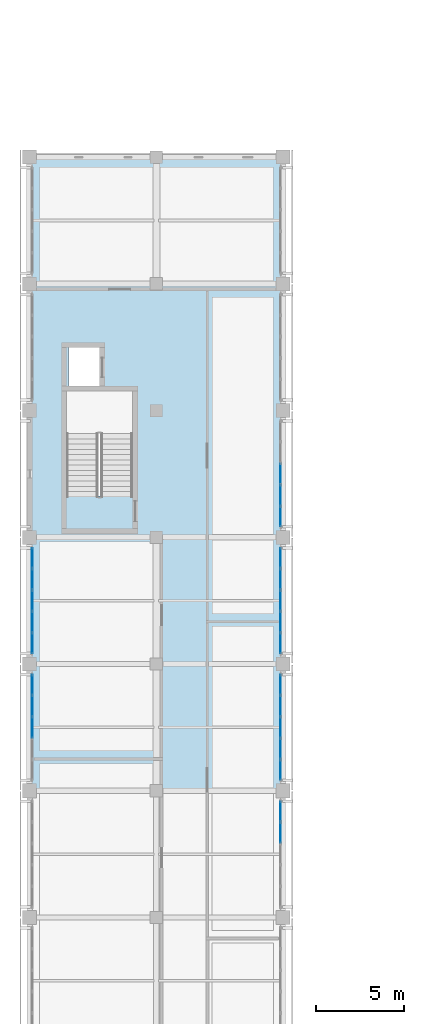
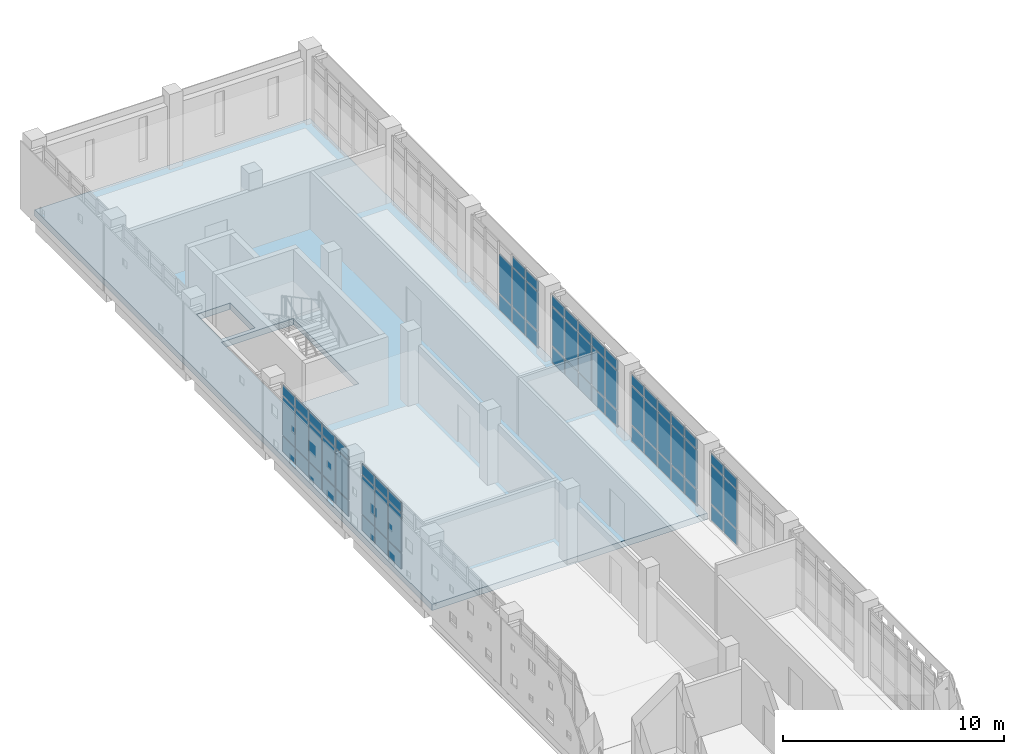
# One storey, part 20 of 33: 68 plates, 1 slab, 6 elements without a shape of their own.
"""IFC4 building model written with IfcOpenShell, lengths in metres."""

from ifc_helpers import new_model, si_unit, direction, frame, origin, origin_2d, place, context, subcontext, project, spatial, polyline, rectangle, outline, extrude, material, layer, layer_set, type_object, element, aggregate, save


model = new_model("IFC4")

# Units and contexts
model_context = context("Model", 3, precision=1e-05, world=origin(), true_north=direction((0.0, 1.0)))
body_context = subcontext(model_context, "Body", "Model", "MODEL_VIEW")
ifc_project = project(units=[si_unit("LENGTHUNIT", "METRE"), si_unit("AREAUNIT", "SQUARE_METRE"), si_unit("VOLUMEUNIT", "CUBIC_METRE"), si_unit("PLANEANGLEUNIT", "RADIAN"), si_unit("MASSUNIT", "GRAM", prefix="KILO")], contexts=[model_context])

# Site, building, storey
site_placement = place(None, origin())
site = spatial("IfcSite", under=ifc_project, at=site_placement, CompositionType="ELEMENT")
building_placement = place(site_placement, origin())
building = spatial("IfcBuilding", under=site, at=building_placement, Name="Valkovuoma Quantum and Materials Research Institute", CompositionType="ELEMENT")
storey_placement = place(building_placement, frame((0.0, 0.0, 25.60009765625)))
storey = spatial("IfcBuildingStorey", under=building, at=storey_placement, Name="L06", CompositionType="ELEMENT", Elevation=25.60009765625)

# Curtain wall, plates
ifc_material_1 = material(Name="Thermally broken aluminium and triple low-E glazing", Category="aluminium")
ifc_layer_1 = layer(ifc_material_1, 0.219970703125)
ifc_layer_set_1 = layer_set([ifc_layer_1], Name="Thermally broken aluminium and triple low-E glazing")
curtain_wall_type = type_object("IfcCurtainWallType", Name="CW-CW-01", PredefinedType="NOTDEFINED", material=ifc_layer_set_1)
curtain_wall_1_placement = place(storey_placement, origin())
curtain_wall_1 = element("IfcCurtainWall", 1, at=curtain_wall_1_placement, inside=storey, type_object=curtain_wall_type, Name="L06 curtain wall 082", PredefinedType="NOTDEFINED")
ifc_material_2 = material(Name="Triple low-E argon insulating glass", Category="glass")
ifc_layer_2 = layer(ifc_material_2, 0.035888671875)
ifc_layer_set_2 = layer_set([ifc_layer_2], Name="Triple low-E argon insulating glass")
plate_type_1 = type_object("IfcPlateType", Name="CWPanel-CWP-01", PredefinedType="CURTAIN_PANEL", material=ifc_layer_set_2)
plate_1_placement = place(storey_placement, frame((0.14990234375, 61.199951171875, 0.06494140625), z_axis=(0.0, 0.0, 1.0), x_axis=(0.0, 1.0, 0.0)))
plate_1 = element("IfcPlate", 2, at=plate_1_placement, type_object=plate_type_1, Name="CW-01 panel 3.1", PredefinedType="CURTAIN_PANEL", context=body_context, shape_type="SweptSolid", body=[
    extrude(rectangle(XDim=1.152099609375, YDim=0.035888671875, at=origin_2d()), origin(), (0.0, 0.0, 1.0), 0.8525390625),
])
plate_2_placement = place(storey_placement, frame((0.14990234375, 61.199951171875, 0.982421875), z_axis=(0.0, 0.0, 1.0), x_axis=(0.0, 1.0, 0.0)))
plate_2 = element("IfcPlate", 3, at=plate_2_placement, type_object=plate_type_1, Name="CW-01 panel 3.2", PredefinedType="CURTAIN_PANEL", context=body_context, shape_type="SweptSolid", body=[
    extrude(rectangle(XDim=1.152099609375, YDim=0.035888671875, at=origin_2d()), origin(), (0.0, 0.0, 1.0), 2.14501953125),
])
plate_3_placement = place(storey_placement, frame((0.14990234375, 61.199951171875, 3.1923828125), z_axis=(0.0, 0.0, 1.0), x_axis=(0.0, 1.0, 0.0)))
plate_3 = element("IfcPlate", 4, at=plate_3_placement, type_object=plate_type_1, Name="CW-01 panel 3.3", PredefinedType="CURTAIN_PANEL", context=body_context, shape_type="SweptSolid", body=[
    extrude(rectangle(XDim=1.152099609375, YDim=0.035888671875, at=origin_2d()), origin(), (0.0, 0.0, 1.0), 0.552490234375),
])
plate_4_placement = place(storey_placement, frame((0.14990234375, 62.417236328125, 0.06494140625), z_axis=(0.0, 0.0, 1.0), x_axis=(0.0, 1.0, 0.0)))
plate_4 = element("IfcPlate", 5, at=plate_4_placement, type_object=plate_type_1, Name="CW-01 panel 4.1", PredefinedType="CURTAIN_PANEL", context=body_context, shape_type="SweptSolid", body=[
    extrude(rectangle(XDim=1.152099609375, YDim=0.035888671875, at=origin_2d()), origin(), (0.0, 0.0, 1.0), 0.8525390625),
])
plate_5_placement = place(storey_placement, frame((0.14990234375, 62.417236328125, 0.982421875), z_axis=(0.0, 0.0, 1.0), x_axis=(0.0, 1.0, 0.0)))
plate_5 = element("IfcPlate", 6, at=plate_5_placement, type_object=plate_type_1, Name="CW-01 panel 4.2", PredefinedType="CURTAIN_PANEL", context=body_context, shape_type="SweptSolid", body=[
    extrude(rectangle(XDim=1.152099609375, YDim=0.035888671875, at=origin_2d()), origin(), (0.0, 0.0, 1.0), 2.14501953125),
])
plate_6_placement = place(storey_placement, frame((0.14990234375, 62.417236328125, 3.1923828125), z_axis=(0.0, 0.0, 1.0), x_axis=(0.0, 1.0, 0.0)))
plate_6 = element("IfcPlate", 7, at=plate_6_placement, type_object=plate_type_1, Name="CW-01 panel 4.3", PredefinedType="CURTAIN_PANEL", context=body_context, shape_type="SweptSolid", body=[
    extrude(rectangle(XDim=1.152099609375, YDim=0.035888671875, at=origin_2d()), origin(), (0.0, 0.0, 1.0), 0.552490234375),
])
plate_7_placement = place(storey_placement, frame((0.14990234375, 63.6181640625, 0.06494140625), z_axis=(0.0, 0.0, 1.0), x_axis=(0.0, 1.0, 0.0)))
plate_7 = element("IfcPlate", 8, at=plate_7_placement, type_object=plate_type_1, Name="CW-01 panel 5.1", PredefinedType="CURTAIN_PANEL", context=body_context, shape_type="SweptSolid", body=[
    extrude(rectangle(XDim=1.11962890625, YDim=0.035888671875, at=origin_2d()), origin(), (0.0, 0.0, 1.0), 0.8525390625),
])
plate_8_placement = place(storey_placement, frame((0.14990234375, 63.6181640625, 0.982421875), z_axis=(0.0, 0.0, 1.0), x_axis=(0.0, 1.0, 0.0)))
plate_8 = element("IfcPlate", 9, at=plate_8_placement, type_object=plate_type_1, Name="CW-01 panel 5.2", PredefinedType="CURTAIN_PANEL", context=body_context, shape_type="SweptSolid", body=[
    extrude(rectangle(XDim=1.11962890625, YDim=0.035888671875, at=origin_2d()), origin(), (0.0, 0.0, 1.0), 2.14501953125),
])
plate_9_placement = place(storey_placement, frame((0.14990234375, 63.6181640625, 3.1923828125), z_axis=(0.0, 0.0, 1.0), x_axis=(0.0, 1.0, 0.0)))
plate_9 = element("IfcPlate", 10, at=plate_9_placement, type_object=plate_type_1, Name="CW-01 panel 5.3", PredefinedType="CURTAIN_PANEL", context=body_context, shape_type="SweptSolid", body=[
    extrude(rectangle(XDim=1.11962890625, YDim=0.035888671875, at=origin_2d()), origin(), (0.0, 0.0, 1.0), 0.552490234375),
])
aggregate(curtain_wall_1, [plate_1, plate_2, plate_3, plate_4, plate_5, plate_6, plate_7, plate_8, plate_9])

curtain_wall_2_placement = place(storey_placement, origin())
curtain_wall_2 = element("IfcCurtainWall", 11, at=curtain_wall_2_placement, inside=storey, type_object=curtain_wall_type, Name="L06 curtain wall 084", PredefinedType="NOTDEFINED")
plate_10_placement = place(storey_placement, frame((0.14990234375, 65.98193359375, 0.06494140625), z_axis=(0.0, 0.0, 1.0), x_axis=(0.0, 1.0, 0.0)))
plate_10 = element("IfcPlate", 12, at=plate_10_placement, type_object=plate_type_1, Name="CW-01 panel 1.1", PredefinedType="CURTAIN_PANEL", context=body_context, shape_type="SweptSolid", body=[
    extrude(rectangle(XDim=1.11962890625, YDim=0.035888671875, at=origin_2d()), origin(), (0.0, 0.0, 1.0), 0.8525390625),
])
plate_11_placement = place(storey_placement, frame((0.14990234375, 65.98193359375, 0.982421875), z_axis=(0.0, 0.0, 1.0), x_axis=(0.0, 1.0, 0.0)))
plate_11 = element("IfcPlate", 13, at=plate_11_placement, type_object=plate_type_1, Name="CW-01 panel 1.2", PredefinedType="CURTAIN_PANEL", context=body_context, shape_type="SweptSolid", body=[
    extrude(rectangle(XDim=1.11962890625, YDim=0.035888671875, at=origin_2d()), origin(), (0.0, 0.0, 1.0), 2.14501953125),
])
plate_12_placement = place(storey_placement, frame((0.14990234375, 65.98193359375, 3.1923828125), z_axis=(0.0, 0.0, 1.0), x_axis=(0.0, 1.0, 0.0)))
plate_12 = element("IfcPlate", 14, at=plate_12_placement, type_object=plate_type_1, Name="CW-01 panel 1.3", PredefinedType="CURTAIN_PANEL", context=body_context, shape_type="SweptSolid", body=[
    extrude(rectangle(XDim=1.11962890625, YDim=0.035888671875, at=origin_2d()), origin(), (0.0, 0.0, 1.0), 0.552490234375),
])
plate_13_placement = place(storey_placement, frame((0.14990234375, 67.182861328125, 0.06494140625), z_axis=(0.0, 0.0, 1.0), x_axis=(0.0, 1.0, 0.0)))
plate_13 = element("IfcPlate", 15, at=plate_13_placement, type_object=plate_type_1, Name="CW-01 panel 2.1", PredefinedType="CURTAIN_PANEL", context=body_context, shape_type="SweptSolid", body=[
    extrude(rectangle(XDim=1.152099609375, YDim=0.035888671875, at=origin_2d()), origin(), (0.0, 0.0, 1.0), 0.8525390625),
])
plate_14_placement = place(storey_placement, frame((0.14990234375, 67.182861328125, 0.982421875), z_axis=(0.0, 0.0, 1.0), x_axis=(0.0, 1.0, 0.0)))
plate_14 = element("IfcPlate", 16, at=plate_14_placement, type_object=plate_type_1, Name="CW-01 panel 2.2", PredefinedType="CURTAIN_PANEL", context=body_context, shape_type="SweptSolid", body=[
    extrude(rectangle(XDim=1.152099609375, YDim=0.035888671875, at=origin_2d()), origin(), (0.0, 0.0, 1.0), 2.14501953125),
])
plate_15_placement = place(storey_placement, frame((0.14990234375, 67.182861328125, 3.1923828125), z_axis=(0.0, 0.0, 1.0), x_axis=(0.0, 1.0, 0.0)))
plate_15 = element("IfcPlate", 17, at=plate_15_placement, type_object=plate_type_1, Name="CW-01 panel 2.3", PredefinedType="CURTAIN_PANEL", context=body_context, shape_type="SweptSolid", body=[
    extrude(rectangle(XDim=1.152099609375, YDim=0.035888671875, at=origin_2d()), origin(), (0.0, 0.0, 1.0), 0.552490234375),
])
plate_16_placement = place(storey_placement, frame((0.14990234375, 68.39990234375, 0.06494140625), z_axis=(0.0, 0.0, 1.0), x_axis=(0.0, 1.0, 0.0)))
plate_16 = element("IfcPlate", 18, at=plate_16_placement, type_object=plate_type_1, Name="CW-01 panel 3.1", PredefinedType="CURTAIN_PANEL", context=body_context, shape_type="SweptSolid", body=[
    extrude(rectangle(XDim=1.152099609375, YDim=0.035888671875, at=origin_2d()), origin(), (0.0, 0.0, 1.0), 0.8525390625),
])
plate_17_placement = place(storey_placement, frame((0.14990234375, 68.39990234375, 0.982421875), z_axis=(0.0, 0.0, 1.0), x_axis=(0.0, 1.0, 0.0)))
plate_17 = element("IfcPlate", 19, at=plate_17_placement, type_object=plate_type_1, Name="CW-01 panel 3.2", PredefinedType="CURTAIN_PANEL", context=body_context, shape_type="SweptSolid", body=[
    extrude(rectangle(XDim=1.152099609375, YDim=0.035888671875, at=origin_2d()), origin(), (0.0, 0.0, 1.0), 2.14501953125),
])
plate_18_placement = place(storey_placement, frame((0.14990234375, 68.39990234375, 3.1923828125), z_axis=(0.0, 0.0, 1.0), x_axis=(0.0, 1.0, 0.0)))
plate_18 = element("IfcPlate", 20, at=plate_18_placement, type_object=plate_type_1, Name="CW-01 panel 3.3", PredefinedType="CURTAIN_PANEL", context=body_context, shape_type="SweptSolid", body=[
    extrude(rectangle(XDim=1.152099609375, YDim=0.035888671875, at=origin_2d()), origin(), (0.0, 0.0, 1.0), 0.552490234375),
])
plate_19_placement = place(storey_placement, frame((0.14990234375, 69.6171875, 0.06494140625), z_axis=(0.0, 0.0, 1.0), x_axis=(0.0, 1.0, 0.0)))
plate_19 = element("IfcPlate", 21, at=plate_19_placement, type_object=plate_type_1, Name="CW-01 panel 4.1", PredefinedType="CURTAIN_PANEL", context=body_context, shape_type="SweptSolid", body=[
    extrude(rectangle(XDim=1.152099609375, YDim=0.035888671875, at=origin_2d()), origin(), (0.0, 0.0, 1.0), 0.8525390625),
])
plate_20_placement = place(storey_placement, frame((0.14990234375, 69.6171875, 0.982421875), z_axis=(0.0, 0.0, 1.0), x_axis=(0.0, 1.0, 0.0)))
plate_20 = element("IfcPlate", 22, at=plate_20_placement, type_object=plate_type_1, Name="CW-01 panel 4.2", PredefinedType="CURTAIN_PANEL", context=body_context, shape_type="SweptSolid", body=[
    extrude(rectangle(XDim=1.152099609375, YDim=0.035888671875, at=origin_2d()), origin(), (0.0, 0.0, 1.0), 2.14501953125),
])
plate_21_placement = place(storey_placement, frame((0.14990234375, 69.6171875, 3.1923828125), z_axis=(0.0, 0.0, 1.0), x_axis=(0.0, 1.0, 0.0)))
plate_21 = element("IfcPlate", 23, at=plate_21_placement, type_object=plate_type_1, Name="CW-01 panel 4.3", PredefinedType="CURTAIN_PANEL", context=body_context, shape_type="SweptSolid", body=[
    extrude(rectangle(XDim=1.152099609375, YDim=0.035888671875, at=origin_2d()), origin(), (0.0, 0.0, 1.0), 0.552490234375),
])
plate_22_placement = place(storey_placement, frame((0.14990234375, 70.818115234375, 0.06494140625), z_axis=(0.0, 0.0, 1.0), x_axis=(0.0, 1.0, 0.0)))
plate_22 = element("IfcPlate", 24, at=plate_22_placement, type_object=plate_type_1, Name="CW-01 panel 5.1", PredefinedType="CURTAIN_PANEL", context=body_context, shape_type="SweptSolid", body=[
    extrude(rectangle(XDim=1.11962890625, YDim=0.035888671875, at=origin_2d()), origin(), (0.0, 0.0, 1.0), 0.8525390625),
])
plate_23_placement = place(storey_placement, frame((0.14990234375, 70.818115234375, 0.982421875), z_axis=(0.0, 0.0, 1.0), x_axis=(0.0, 1.0, 0.0)))
plate_23 = element("IfcPlate", 25, at=plate_23_placement, type_object=plate_type_1, Name="CW-01 panel 5.2", PredefinedType="CURTAIN_PANEL", context=body_context, shape_type="SweptSolid", body=[
    extrude(rectangle(XDim=1.11962890625, YDim=0.035888671875, at=origin_2d()), origin(), (0.0, 0.0, 1.0), 2.14501953125),
])
plate_24_placement = place(storey_placement, frame((0.14990234375, 70.818115234375, 3.1923828125), z_axis=(0.0, 0.0, 1.0), x_axis=(0.0, 1.0, 0.0)))
plate_24 = element("IfcPlate", 26, at=plate_24_placement, type_object=plate_type_1, Name="CW-01 panel 5.3", PredefinedType="CURTAIN_PANEL", context=body_context, shape_type="SweptSolid", body=[
    extrude(rectangle(XDim=1.11962890625, YDim=0.035888671875, at=origin_2d()), origin(), (0.0, 0.0, 1.0), 0.552490234375),
])
aggregate(curtain_wall_2, [plate_10, plate_11, plate_12, plate_13, plate_14, plate_15, plate_16, plate_17, plate_18, plate_19, plate_20, plate_21, plate_22, plate_23, plate_24])

curtain_wall_3_placement = place(storey_placement, origin())
curtain_wall_3 = element("IfcCurtainWall", 27, at=curtain_wall_3_placement, inside=storey, type_object=curtain_wall_type, Name="L06 curtain wall 081", PredefinedType="NOTDEFINED")
ifc_material_3 = material(Name="Triple low-E argon insulating glass", Category="glass")
ifc_layer_3 = layer(ifc_material_3, 0.0419921875)
ifc_layer_set_3 = layer_set([ifc_layer_3], Name="Triple low-E argon insulating glass")
plate_type_2 = type_object("IfcPlateType", Name="CWPanel-CWP-02", PredefinedType="CURTAIN_PANEL", material=ifc_layer_set_3)
plate_25_placement = place(storey_placement, frame((14.25, 55.217041015625, 0.06494140625), z_axis=(0.0, 0.0, 1.0), x_axis=(0.0, 1.0, 0.0)))
plate_25 = element("IfcPlate", 28, at=plate_25_placement, type_object=plate_type_2, Name="CW-01 panel 4.1", PredefinedType="CURTAIN_PANEL", context=body_context, shape_type="SweptSolid", body=[
    extrude(rectangle(XDim=1.152099609375, YDim=0.0419921875, at=origin_2d()), origin(), (0.0, 0.0, 1.0), 0.8525390625),
])
plate_26_placement = place(storey_placement, frame((14.25, 55.217041015625, 0.982421875), z_axis=(0.0, 0.0, 1.0), x_axis=(0.0, 1.0, 0.0)))
plate_26 = element("IfcPlate", 29, at=plate_26_placement, type_object=plate_type_2, Name="CW-01 panel 4.2", PredefinedType="CURTAIN_PANEL", context=body_context, shape_type="SweptSolid", body=[
    extrude(rectangle(XDim=1.152099609375, YDim=0.0419921875, at=origin_2d()), origin(), (0.0, 0.0, 1.0), 2.14501953125),
])
plate_27_placement = place(storey_placement, frame((14.25, 55.217041015625, 3.1923828125), z_axis=(0.0, 0.0, 1.0), x_axis=(0.0, 1.0, 0.0)))
plate_27 = element("IfcPlate", 30, at=plate_27_placement, type_object=plate_type_2, Name="CW-01 panel 4.3", PredefinedType="CURTAIN_PANEL", context=body_context, shape_type="SweptSolid", body=[
    extrude(rectangle(XDim=1.152099609375, YDim=0.0419921875, at=origin_2d()), origin(), (0.0, 0.0, 1.0), 0.552490234375),
])
plate_28_placement = place(storey_placement, frame((14.25, 56.41796875, 0.06494140625), z_axis=(0.0, 0.0, 1.0), x_axis=(0.0, 1.0, 0.0)))
plate_28 = element("IfcPlate", 31, at=plate_28_placement, type_object=plate_type_2, Name="CW-01 panel 5.1", PredefinedType="CURTAIN_PANEL", context=body_context, shape_type="SweptSolid", body=[
    extrude(rectangle(XDim=1.11962890625, YDim=0.0419921875, at=origin_2d()), origin(), (0.0, 0.0, 1.0), 0.8525390625),
])
plate_29_placement = place(storey_placement, frame((14.25, 56.41796875, 0.982421875), z_axis=(0.0, 0.0, 1.0), x_axis=(0.0, 1.0, 0.0)))
plate_29 = element("IfcPlate", 32, at=plate_29_placement, type_object=plate_type_2, Name="CW-01 panel 5.2", PredefinedType="CURTAIN_PANEL", context=body_context, shape_type="SweptSolid", body=[
    extrude(rectangle(XDim=1.11962890625, YDim=0.0419921875, at=origin_2d()), origin(), (0.0, 0.0, 1.0), 2.14501953125),
])
plate_30_placement = place(storey_placement, frame((14.25, 56.41796875, 3.1923828125), z_axis=(0.0, 0.0, 1.0), x_axis=(0.0, 1.0, 0.0)))
plate_30 = element("IfcPlate", 33, at=plate_30_placement, type_object=plate_type_2, Name="CW-01 panel 5.3", PredefinedType="CURTAIN_PANEL", context=body_context, shape_type="SweptSolid", body=[
    extrude(rectangle(XDim=1.11962890625, YDim=0.0419921875, at=origin_2d()), origin(), (0.0, 0.0, 1.0), 0.552490234375),
])
aggregate(curtain_wall_3, [plate_25, plate_26, plate_27, plate_28, plate_29, plate_30])

curtain_wall_4_placement = place(storey_placement, origin())
curtain_wall_4 = element("IfcCurtainWall", 34, at=curtain_wall_4_placement, inside=storey, type_object=curtain_wall_type, Name="L06 curtain wall 083", PredefinedType="NOTDEFINED")
plate_31_placement = place(storey_placement, frame((14.25, 58.781982421875, 0.06494140625), z_axis=(0.0, 0.0, 1.0), x_axis=(0.0, 1.0, 0.0)))
plate_31 = element("IfcPlate", 35, at=plate_31_placement, type_object=plate_type_2, Name="CW-01 panel 1.1", PredefinedType="CURTAIN_PANEL", context=body_context, shape_type="SweptSolid", body=[
    extrude(rectangle(XDim=1.11962890625, YDim=0.0419921875, at=origin_2d()), origin(), (0.0, 0.0, 1.0), 0.8525390625),
])
plate_32_placement = place(storey_placement, frame((14.25, 58.781982421875, 0.982421875), z_axis=(0.0, 0.0, 1.0), x_axis=(0.0, 1.0, 0.0)))
plate_32 = element("IfcPlate", 36, at=plate_32_placement, type_object=plate_type_2, Name="CW-01 panel 1.2", PredefinedType="CURTAIN_PANEL", context=body_context, shape_type="SweptSolid", body=[
    extrude(rectangle(XDim=1.11962890625, YDim=0.0419921875, at=origin_2d()), origin(), (0.0, 0.0, 1.0), 2.14501953125),
])
plate_33_placement = place(storey_placement, frame((14.25, 58.781982421875, 3.1923828125), z_axis=(0.0, 0.0, 1.0), x_axis=(0.0, 1.0, 0.0)))
plate_33 = element("IfcPlate", 37, at=plate_33_placement, type_object=plate_type_2, Name="CW-01 panel 1.3", PredefinedType="CURTAIN_PANEL", context=body_context, shape_type="SweptSolid", body=[
    extrude(rectangle(XDim=1.11962890625, YDim=0.0419921875, at=origin_2d()), origin(), (0.0, 0.0, 1.0), 0.552490234375),
])
plate_34_placement = place(storey_placement, frame((14.25, 59.98291015625, 0.06494140625), z_axis=(0.0, 0.0, 1.0), x_axis=(0.0, 1.0, 0.0)))
plate_34 = element("IfcPlate", 38, at=plate_34_placement, type_object=plate_type_2, Name="CW-01 panel 2.1", PredefinedType="CURTAIN_PANEL", context=body_context, shape_type="SweptSolid", body=[
    extrude(rectangle(XDim=1.152099609375, YDim=0.0419921875, at=origin_2d()), origin(), (0.0, 0.0, 1.0), 0.8525390625),
])
plate_35_placement = place(storey_placement, frame((14.25, 59.98291015625, 0.982421875), z_axis=(0.0, 0.0, 1.0), x_axis=(0.0, 1.0, 0.0)))
plate_35 = element("IfcPlate", 39, at=plate_35_placement, type_object=plate_type_2, Name="CW-01 panel 2.2", PredefinedType="CURTAIN_PANEL", context=body_context, shape_type="SweptSolid", body=[
    extrude(rectangle(XDim=1.152099609375, YDim=0.0419921875, at=origin_2d()), origin(), (0.0, 0.0, 1.0), 2.14501953125),
])
plate_36_placement = place(storey_placement, frame((14.25, 59.98291015625, 3.1923828125), z_axis=(0.0, 0.0, 1.0), x_axis=(0.0, 1.0, 0.0)))
plate_36 = element("IfcPlate", 40, at=plate_36_placement, type_object=plate_type_2, Name="CW-01 panel 2.3", PredefinedType="CURTAIN_PANEL", context=body_context, shape_type="SweptSolid", body=[
    extrude(rectangle(XDim=1.152099609375, YDim=0.0419921875, at=origin_2d()), origin(), (0.0, 0.0, 1.0), 0.552490234375),
])
plate_37_placement = place(storey_placement, frame((14.25, 61.199951171875, 0.06494140625), z_axis=(0.0, 0.0, 1.0), x_axis=(0.0, 1.0, 0.0)))
plate_37 = element("IfcPlate", 41, at=plate_37_placement, type_object=plate_type_2, Name="CW-01 panel 3.1", PredefinedType="CURTAIN_PANEL", context=body_context, shape_type="SweptSolid", body=[
    extrude(rectangle(XDim=1.152099609375, YDim=0.0419921875, at=origin_2d()), origin(), (0.0, 0.0, 1.0), 0.8525390625),
])
plate_38_placement = place(storey_placement, frame((14.25, 61.199951171875, 0.982421875), z_axis=(0.0, 0.0, 1.0), x_axis=(0.0, 1.0, 0.0)))
plate_38 = element("IfcPlate", 42, at=plate_38_placement, type_object=plate_type_2, Name="CW-01 panel 3.2", PredefinedType="CURTAIN_PANEL", context=body_context, shape_type="SweptSolid", body=[
    extrude(rectangle(XDim=1.152099609375, YDim=0.0419921875, at=origin_2d()), origin(), (0.0, 0.0, 1.0), 2.14501953125),
])
plate_39_placement = place(storey_placement, frame((14.25, 61.199951171875, 3.1923828125), z_axis=(0.0, 0.0, 1.0), x_axis=(0.0, 1.0, 0.0)))
plate_39 = element("IfcPlate", 43, at=plate_39_placement, type_object=plate_type_2, Name="CW-01 panel 3.3", PredefinedType="CURTAIN_PANEL", context=body_context, shape_type="SweptSolid", body=[
    extrude(rectangle(XDim=1.152099609375, YDim=0.0419921875, at=origin_2d()), origin(), (0.0, 0.0, 1.0), 0.552490234375),
])
plate_40_placement = place(storey_placement, frame((14.25, 62.417236328125, 0.06494140625), z_axis=(0.0, 0.0, 1.0), x_axis=(0.0, 1.0, 0.0)))
plate_40 = element("IfcPlate", 44, at=plate_40_placement, type_object=plate_type_2, Name="CW-01 panel 4.1", PredefinedType="CURTAIN_PANEL", context=body_context, shape_type="SweptSolid", body=[
    extrude(rectangle(XDim=1.152099609375, YDim=0.0419921875, at=origin_2d()), origin(), (0.0, 0.0, 1.0), 0.8525390625),
])
plate_41_placement = place(storey_placement, frame((14.25, 62.417236328125, 0.982421875), z_axis=(0.0, 0.0, 1.0), x_axis=(0.0, 1.0, 0.0)))
plate_41 = element("IfcPlate", 45, at=plate_41_placement, type_object=plate_type_2, Name="CW-01 panel 4.2", PredefinedType="CURTAIN_PANEL", context=body_context, shape_type="SweptSolid", body=[
    extrude(rectangle(XDim=1.152099609375, YDim=0.0419921875, at=origin_2d()), origin(), (0.0, 0.0, 1.0), 2.14501953125),
])
plate_42_placement = place(storey_placement, frame((14.25, 62.417236328125, 3.1923828125), z_axis=(0.0, 0.0, 1.0), x_axis=(0.0, 1.0, 0.0)))
plate_42 = element("IfcPlate", 46, at=plate_42_placement, type_object=plate_type_2, Name="CW-01 panel 4.3", PredefinedType="CURTAIN_PANEL", context=body_context, shape_type="SweptSolid", body=[
    extrude(rectangle(XDim=1.152099609375, YDim=0.0419921875, at=origin_2d()), origin(), (0.0, 0.0, 1.0), 0.552490234375),
])
plate_43_placement = place(storey_placement, frame((14.25, 63.6181640625, 0.06494140625), z_axis=(0.0, 0.0, 1.0), x_axis=(0.0, 1.0, 0.0)))
plate_43 = element("IfcPlate", 47, at=plate_43_placement, type_object=plate_type_2, Name="CW-01 panel 5.1", PredefinedType="CURTAIN_PANEL", context=body_context, shape_type="SweptSolid", body=[
    extrude(rectangle(XDim=1.11962890625, YDim=0.0419921875, at=origin_2d()), origin(), (0.0, 0.0, 1.0), 0.8525390625),
])
plate_44_placement = place(storey_placement, frame((14.25, 63.6181640625, 0.982421875), z_axis=(0.0, 0.0, 1.0), x_axis=(0.0, 1.0, 0.0)))
plate_44 = element("IfcPlate", 48, at=plate_44_placement, type_object=plate_type_2, Name="CW-01 panel 5.2", PredefinedType="CURTAIN_PANEL", context=body_context, shape_type="SweptSolid", body=[
    extrude(rectangle(XDim=1.11962890625, YDim=0.0419921875, at=origin_2d()), origin(), (0.0, 0.0, 1.0), 2.14501953125),
])
plate_45_placement = place(storey_placement, frame((14.25, 63.6181640625, 3.1923828125), z_axis=(0.0, 0.0, 1.0), x_axis=(0.0, 1.0, 0.0)))
plate_45 = element("IfcPlate", 49, at=plate_45_placement, type_object=plate_type_2, Name="CW-01 panel 5.3", PredefinedType="CURTAIN_PANEL", context=body_context, shape_type="SweptSolid", body=[
    extrude(rectangle(XDim=1.11962890625, YDim=0.0419921875, at=origin_2d()), origin(), (0.0, 0.0, 1.0), 0.552490234375),
])
aggregate(curtain_wall_4, [plate_31, plate_32, plate_33, plate_34, plate_35, plate_36, plate_37, plate_38, plate_39, plate_40, plate_41, plate_42, plate_43, plate_44, plate_45])

curtain_wall_5_placement = place(storey_placement, origin())
curtain_wall_5 = element("IfcCurtainWall", 50, at=curtain_wall_5_placement, inside=storey, type_object=curtain_wall_type, Name="L06 curtain wall 085", PredefinedType="NOTDEFINED")
plate_46_placement = place(storey_placement, frame((14.25, 65.98193359375, 0.06494140625), z_axis=(0.0, 0.0, 1.0), x_axis=(0.0, 1.0, 0.0)))
plate_46 = element("IfcPlate", 51, at=plate_46_placement, type_object=plate_type_2, Name="CW-01 panel 1.1", PredefinedType="CURTAIN_PANEL", context=body_context, shape_type="SweptSolid", body=[
    extrude(rectangle(XDim=1.11962890625, YDim=0.0419921875, at=origin_2d()), origin(), (0.0, 0.0, 1.0), 0.8525390625),
])
plate_47_placement = place(storey_placement, frame((14.25, 65.98193359375, 0.982421875), z_axis=(0.0, 0.0, 1.0), x_axis=(0.0, 1.0, 0.0)))
plate_47 = element("IfcPlate", 52, at=plate_47_placement, type_object=plate_type_2, Name="CW-01 panel 1.2", PredefinedType="CURTAIN_PANEL", context=body_context, shape_type="SweptSolid", body=[
    extrude(rectangle(XDim=1.11962890625, YDim=0.0419921875, at=origin_2d()), origin(), (0.0, 0.0, 1.0), 2.14501953125),
])
plate_48_placement = place(storey_placement, frame((14.25, 65.98193359375, 3.1923828125), z_axis=(0.0, 0.0, 1.0), x_axis=(0.0, 1.0, 0.0)))
plate_48 = element("IfcPlate", 53, at=plate_48_placement, type_object=plate_type_2, Name="CW-01 panel 1.3", PredefinedType="CURTAIN_PANEL", context=body_context, shape_type="SweptSolid", body=[
    extrude(rectangle(XDim=1.11962890625, YDim=0.0419921875, at=origin_2d()), origin(), (0.0, 0.0, 1.0), 0.552490234375),
])
plate_49_placement = place(storey_placement, frame((14.25, 67.182861328125, 0.06494140625), z_axis=(0.0, 0.0, 1.0), x_axis=(0.0, 1.0, 0.0)))
plate_49 = element("IfcPlate", 54, at=plate_49_placement, type_object=plate_type_2, Name="CW-01 panel 2.1", PredefinedType="CURTAIN_PANEL", context=body_context, shape_type="SweptSolid", body=[
    extrude(rectangle(XDim=1.152099609375, YDim=0.0419921875, at=origin_2d()), origin(), (0.0, 0.0, 1.0), 0.8525390625),
])
plate_50_placement = place(storey_placement, frame((14.25, 67.182861328125, 0.982421875), z_axis=(0.0, 0.0, 1.0), x_axis=(0.0, 1.0, 0.0)))
plate_50 = element("IfcPlate", 55, at=plate_50_placement, type_object=plate_type_2, Name="CW-01 panel 2.2", PredefinedType="CURTAIN_PANEL", context=body_context, shape_type="SweptSolid", body=[
    extrude(rectangle(XDim=1.152099609375, YDim=0.0419921875, at=origin_2d()), origin(), (0.0, 0.0, 1.0), 2.14501953125),
])
plate_51_placement = place(storey_placement, frame((14.25, 67.182861328125, 3.1923828125), z_axis=(0.0, 0.0, 1.0), x_axis=(0.0, 1.0, 0.0)))
plate_51 = element("IfcPlate", 56, at=plate_51_placement, type_object=plate_type_2, Name="CW-01 panel 2.3", PredefinedType="CURTAIN_PANEL", context=body_context, shape_type="SweptSolid", body=[
    extrude(rectangle(XDim=1.152099609375, YDim=0.0419921875, at=origin_2d()), origin(), (0.0, 0.0, 1.0), 0.552490234375),
])
plate_52_placement = place(storey_placement, frame((14.25, 68.39990234375, 0.06494140625), z_axis=(0.0, 0.0, 1.0), x_axis=(0.0, 1.0, 0.0)))
plate_52 = element("IfcPlate", 57, at=plate_52_placement, type_object=plate_type_2, Name="CW-01 panel 3.1", PredefinedType="CURTAIN_PANEL", context=body_context, shape_type="SweptSolid", body=[
    extrude(rectangle(XDim=1.152099609375, YDim=0.0419921875, at=origin_2d()), origin(), (0.0, 0.0, 1.0), 0.8525390625),
])
plate_53_placement = place(storey_placement, frame((14.25, 68.39990234375, 0.982421875), z_axis=(0.0, 0.0, 1.0), x_axis=(0.0, 1.0, 0.0)))
plate_53 = element("IfcPlate", 58, at=plate_53_placement, type_object=plate_type_2, Name="CW-01 panel 3.2", PredefinedType="CURTAIN_PANEL", context=body_context, shape_type="SweptSolid", body=[
    extrude(rectangle(XDim=1.152099609375, YDim=0.0419921875, at=origin_2d()), origin(), (0.0, 0.0, 1.0), 2.14501953125),
])
plate_54_placement = place(storey_placement, frame((14.25, 68.39990234375, 3.1923828125), z_axis=(0.0, 0.0, 1.0), x_axis=(0.0, 1.0, 0.0)))
plate_54 = element("IfcPlate", 59, at=plate_54_placement, type_object=plate_type_2, Name="CW-01 panel 3.3", PredefinedType="CURTAIN_PANEL", context=body_context, shape_type="SweptSolid", body=[
    extrude(rectangle(XDim=1.152099609375, YDim=0.0419921875, at=origin_2d()), origin(), (0.0, 0.0, 1.0), 0.552490234375),
])
plate_55_placement = place(storey_placement, frame((14.25, 69.6171875, 0.06494140625), z_axis=(0.0, 0.0, 1.0), x_axis=(0.0, 1.0, 0.0)))
plate_55 = element("IfcPlate", 60, at=plate_55_placement, type_object=plate_type_2, Name="CW-01 panel 4.1", PredefinedType="CURTAIN_PANEL", context=body_context, shape_type="SweptSolid", body=[
    extrude(rectangle(XDim=1.152099609375, YDim=0.0419921875, at=origin_2d()), origin(), (0.0, 0.0, 1.0), 0.8525390625),
])
plate_56_placement = place(storey_placement, frame((14.25, 69.6171875, 0.982421875), z_axis=(0.0, 0.0, 1.0), x_axis=(0.0, 1.0, 0.0)))
plate_56 = element("IfcPlate", 61, at=plate_56_placement, type_object=plate_type_2, Name="CW-01 panel 4.2", PredefinedType="CURTAIN_PANEL", context=body_context, shape_type="SweptSolid", body=[
    extrude(rectangle(XDim=1.152099609375, YDim=0.0419921875, at=origin_2d()), origin(), (0.0, 0.0, 1.0), 2.14501953125),
])
plate_57_placement = place(storey_placement, frame((14.25, 69.6171875, 3.1923828125), z_axis=(0.0, 0.0, 1.0), x_axis=(0.0, 1.0, 0.0)))
plate_57 = element("IfcPlate", 62, at=plate_57_placement, type_object=plate_type_2, Name="CW-01 panel 4.3", PredefinedType="CURTAIN_PANEL", context=body_context, shape_type="SweptSolid", body=[
    extrude(rectangle(XDim=1.152099609375, YDim=0.0419921875, at=origin_2d()), origin(), (0.0, 0.0, 1.0), 0.552490234375),
])
plate_58_placement = place(storey_placement, frame((14.25, 70.818115234375, 0.06494140625), z_axis=(0.0, 0.0, 1.0), x_axis=(0.0, 1.0, 0.0)))
plate_58 = element("IfcPlate", 63, at=plate_58_placement, type_object=plate_type_2, Name="CW-01 panel 5.1", PredefinedType="CURTAIN_PANEL", context=body_context, shape_type="SweptSolid", body=[
    extrude(rectangle(XDim=1.11962890625, YDim=0.0419921875, at=origin_2d()), origin(), (0.0, 0.0, 1.0), 0.8525390625),
])
plate_59_placement = place(storey_placement, frame((14.25, 70.818115234375, 0.982421875), z_axis=(0.0, 0.0, 1.0), x_axis=(0.0, 1.0, 0.0)))
plate_59 = element("IfcPlate", 64, at=plate_59_placement, type_object=plate_type_2, Name="CW-01 panel 5.2", PredefinedType="CURTAIN_PANEL", context=body_context, shape_type="SweptSolid", body=[
    extrude(rectangle(XDim=1.11962890625, YDim=0.0419921875, at=origin_2d()), origin(), (0.0, 0.0, 1.0), 2.14501953125),
])
plate_60_placement = place(storey_placement, frame((14.25, 70.818115234375, 3.1923828125), z_axis=(0.0, 0.0, 1.0), x_axis=(0.0, 1.0, 0.0)))
plate_60 = element("IfcPlate", 65, at=plate_60_placement, type_object=plate_type_2, Name="CW-01 panel 5.3", PredefinedType="CURTAIN_PANEL", context=body_context, shape_type="SweptSolid", body=[
    extrude(rectangle(XDim=1.11962890625, YDim=0.0419921875, at=origin_2d()), origin(), (0.0, 0.0, 1.0), 0.552490234375),
])
aggregate(curtain_wall_5, [plate_46, plate_47, plate_48, plate_49, plate_50, plate_51, plate_52, plate_53, plate_54, plate_55, plate_56, plate_57, plate_58, plate_59, plate_60])

curtain_wall_6_placement = place(storey_placement, origin())
curtain_wall_6 = element("IfcCurtainWall", 66, at=curtain_wall_6_placement, inside=storey, type_object=curtain_wall_type, Name="L06 curtain wall 086", PredefinedType="NOTDEFINED")
plate_61_placement = place(storey_placement, frame((14.25, 73.181884765625, 0.06494140625), z_axis=(0.0, 0.0, 1.0), x_axis=(0.0, 1.0, 0.0)))
plate_61 = element("IfcPlate", 67, at=plate_61_placement, type_object=plate_type_2, Name="CW-01 panel 1.1", PredefinedType="CURTAIN_PANEL", context=body_context, shape_type="SweptSolid", body=[
    extrude(rectangle(XDim=1.11962890625, YDim=0.0419921875, at=origin_2d()), origin(), (0.0, 0.0, 1.0), 0.8525390625),
])
plate_62_placement = place(storey_placement, frame((14.25, 73.181884765625, 0.982421875), z_axis=(0.0, 0.0, 1.0), x_axis=(0.0, 1.0, 0.0)))
plate_62 = element("IfcPlate", 68, at=plate_62_placement, type_object=plate_type_2, Name="CW-01 panel 1.2", PredefinedType="CURTAIN_PANEL", context=body_context, shape_type="SweptSolid", body=[
    extrude(rectangle(XDim=1.11962890625, YDim=0.0419921875, at=origin_2d()), origin(), (0.0, 0.0, 1.0), 2.14501953125),
])
plate_63_placement = place(storey_placement, frame((14.25, 73.181884765625, 3.1923828125), z_axis=(0.0, 0.0, 1.0), x_axis=(0.0, 1.0, 0.0)))
plate_63 = element("IfcPlate", 69, at=plate_63_placement, type_object=plate_type_2, Name="CW-01 panel 1.3", PredefinedType="CURTAIN_PANEL", context=body_context, shape_type="SweptSolid", body=[
    extrude(rectangle(XDim=1.11962890625, YDim=0.0419921875, at=origin_2d()), origin(), (0.0, 0.0, 1.0), 0.552490234375),
])
plate_64_placement = place(storey_placement, frame((14.25, 74.3828125, 0.06494140625), z_axis=(0.0, 0.0, 1.0), x_axis=(0.0, 1.0, 0.0)))
plate_64 = element("IfcPlate", 70, at=plate_64_placement, type_object=plate_type_2, Name="CW-01 panel 2.1", PredefinedType="CURTAIN_PANEL", context=body_context, shape_type="SweptSolid", body=[
    extrude(rectangle(XDim=1.152099609375, YDim=0.0419921875, at=origin_2d()), origin(), (0.0, 0.0, 1.0), 0.8525390625),
])
plate_65_placement = place(storey_placement, frame((14.25, 74.3828125, 0.982421875), z_axis=(0.0, 0.0, 1.0), x_axis=(0.0, 1.0, 0.0)))
plate_65 = element("IfcPlate", 71, at=plate_65_placement, type_object=plate_type_2, Name="CW-01 panel 2.2", PredefinedType="CURTAIN_PANEL", context=body_context, shape_type="SweptSolid", body=[
    extrude(rectangle(XDim=1.152099609375, YDim=0.0419921875, at=origin_2d()), origin(), (0.0, 0.0, 1.0), 2.14501953125),
])
plate_66_placement = place(storey_placement, frame((14.25, 74.3828125, 3.1923828125), z_axis=(0.0, 0.0, 1.0), x_axis=(0.0, 1.0, 0.0)))
plate_66 = element("IfcPlate", 72, at=plate_66_placement, type_object=plate_type_2, Name="CW-01 panel 2.3", PredefinedType="CURTAIN_PANEL", context=body_context, shape_type="SweptSolid", body=[
    extrude(rectangle(XDim=1.152099609375, YDim=0.0419921875, at=origin_2d()), origin(), (0.0, 0.0, 1.0), 0.552490234375),
])
plate_67_placement = place(storey_placement, frame((14.25, 75.60009765625, 0.06494140625), z_axis=(0.0, 0.0, 1.0), x_axis=(0.0, 1.0, 0.0)))
plate_67 = element("IfcPlate", 73, at=plate_67_placement, type_object=plate_type_2, Name="CW-01 panel 3.1", PredefinedType="CURTAIN_PANEL", context=body_context, shape_type="SweptSolid", body=[
    extrude(rectangle(XDim=1.152099609375, YDim=0.0419921875, at=origin_2d()), origin(), (0.0, 0.0, 1.0), 0.8525390625),
])
plate_68_placement = place(storey_placement, frame((14.25, 75.60009765625, 0.982421875), z_axis=(0.0, 0.0, 1.0), x_axis=(0.0, 1.0, 0.0)))
plate_68 = element("IfcPlate", 74, at=plate_68_placement, type_object=plate_type_2, Name="CW-01 panel 3.2", PredefinedType="CURTAIN_PANEL", context=body_context, shape_type="SweptSolid", body=[
    extrude(rectangle(XDim=1.152099609375, YDim=0.0419921875, at=origin_2d()), origin(), (0.0, 0.0, 1.0), 2.14501953125),
])
aggregate(curtain_wall_6, [plate_61, plate_62, plate_63, plate_64, plate_65, plate_66, plate_67, plate_68])

# Slab
ifc_material_4 = material(Name="Concrete C40/50", Category="concrete")
ifc_layer_4 = layer(ifc_material_4, 0.35009765625)
ifc_layer_set_4 = layer_set([ifc_layer_4], Name="Concrete C40/50")
slab_type = type_object("IfcSlabType", Name="Slab-SL-FL350", PredefinedType="FLOOR", material=ifc_layer_set_4)
slab_placement = place(storey_placement, frame((0.0, 0.0, -0.35009765625)))
element("IfcSlab", 75, at=slab_placement, inside=storey, type_object=slab_type, Name="L06 vol5_drylab structural slab 2", PredefinedType="FLOOR", context=body_context, shape_type="SweptSolid", body=[
    extrude(outline(polyline([(0.0, 57.60009765625), (14.39990234375, 57.60009765625), (14.39990234375, 93.60009765625), (0.0, 93.60009765625), (0.0, 57.60009765625)]), holes=[polyline([(2.10009765625, 74.360107421875), (5.85009765625, 74.360107421875), (5.85009765625, 80.300048828125), (2.10009765625, 80.300048828125), (2.10009765625, 74.360107421875)]), polyline([(2.219970703125, 80.52001953125), (3.97998046875, 80.52001953125), (3.97998046875, 82.780029296875), (2.219970703125, 82.780029296875), (2.219970703125, 80.52001953125)])]), origin(), (0.0, 0.0, 1.0), 0.35009765625),
])

save(model, "model.ifc")
